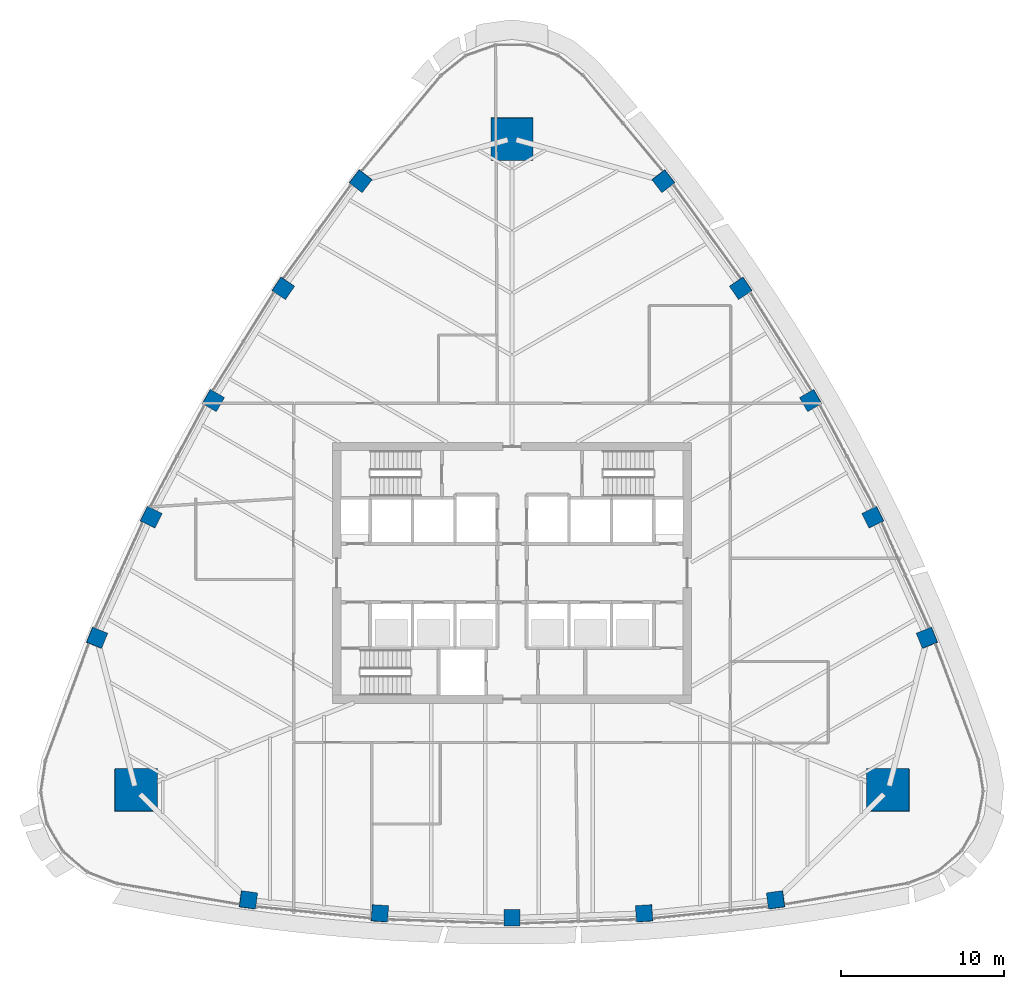
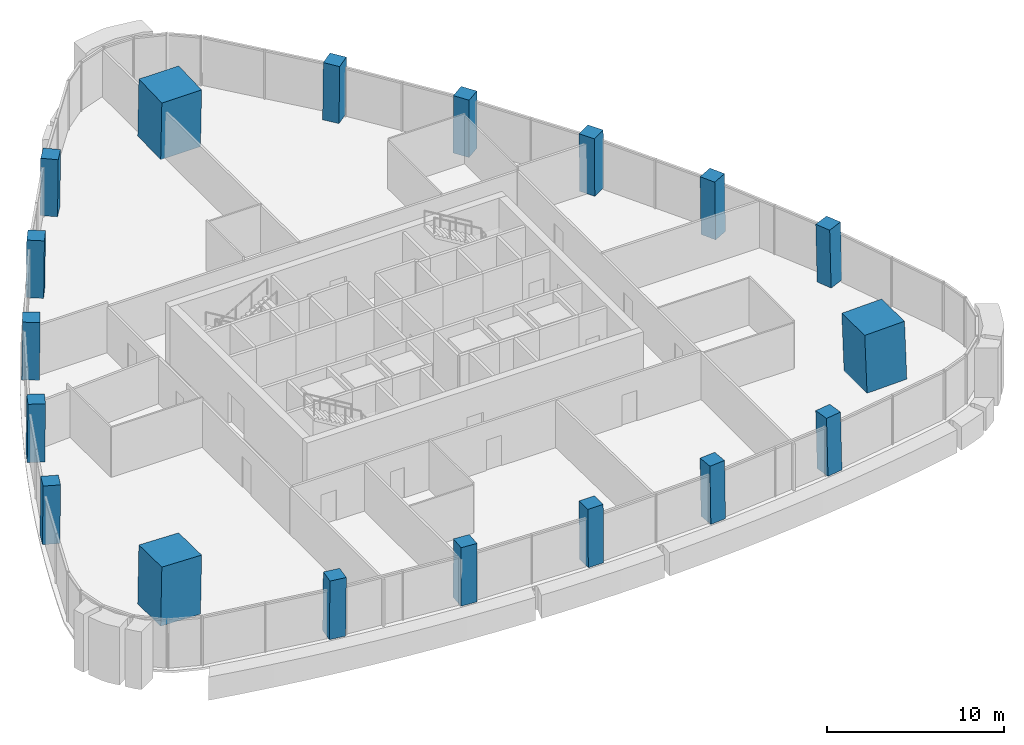
# One storey, part 1 of 16: 18 columns.
"""IFC4 building model written with IfcOpenShell, lengths in metres."""

from ifc_helpers import new_model, si_unit, direction, frame, origin, origin_2d, place, context, subcontext, project, spatial, rectangle, extrude, material, material_profile, profile_set, type_object, element, save


model = new_model("IFC4")

# Units and contexts
model_context = context("Model", 3, precision=1e-05, world=origin(), true_north=direction((0.0, 1.0)))
body_context = subcontext(model_context, "Body", "Model", "MODEL_VIEW")
ifc_project = project(units=[si_unit("LENGTHUNIT", "METRE"), si_unit("AREAUNIT", "SQUARE_METRE"), si_unit("VOLUMEUNIT", "CUBIC_METRE"), si_unit("PLANEANGLEUNIT", "RADIAN"), si_unit("MASSUNIT", "GRAM", prefix="KILO")], contexts=[model_context])

# Site, building, storey
site_placement = place(None, origin())
site = spatial("IfcSite", under=ifc_project, at=site_placement, CompositionType="ELEMENT")
building_placement = place(site_placement, origin())
building = spatial("IfcBuilding", under=site, at=building_placement, Name="Sierra Prisma Convention Tower", CompositionType="ELEMENT")
storey_placement = place(building_placement, frame((0.0, 0.0, 197.800048828125)))
storey = spatial("IfcBuildingStorey", under=building, at=storey_placement, Name="L44", CompositionType="ELEMENT", Elevation=197.800048828125)

# Columns
ifc_material_1 = material(Name="Concrete C60/75", Category="concrete")
ifc_material_profile_1 = material_profile(ifc_material_1, rectangle(XDim=2.60009765625, YDim=2.60009765625, at=origin_2d()), Name="Mega column RC 2600 C60/75")
ifc_profile_set_1 = profile_set([ifc_material_profile_1], Name="Concrete C60/75")
column_type_1 = type_object("IfcColumnType", Name="Mega column RC 2600 C60/75", PredefinedType="COLUMN", material=ifc_profile_set_1)
for number, where, z_axis, x_axis, name in (
    (1, (23.074951171875, -13.322265625, 0.0), (-0.028000517465, 0.01610487279, 0.999478165892), (0.999607908643, 0.000451121653, 0.027996883176), "Mega column SE L44"),
    (2, (0.0, 26.644775390625, 0.0), (0.0, -0.032331720729, 0.999477193254), (1.0, 0.0, 0.0), "Mega column N L44"),
    (3, (-23.074951171875, -13.322265625, 0.0), (0.028000517465, 0.01610487279, 0.999478165892), (0.999607908643, -0.000451121653, -0.027996883176), "Mega column SW L44"),
):
    element("IfcColumn", number, at=place(storey_placement, frame(where, z_axis=z_axis, x_axis=x_axis)), inside=storey, type_object=column_type_1, Name=name, PredefinedType="COLUMN", context=body_context, shape_type="SweptSolid", body=[
        extrude(rectangle(XDim=2.60009765625, YDim=2.60009765625, at=origin_2d()), origin(), (0.0, 0.0, 1.0), 4.002197265625),
    ])
ifc_material_2 = material(Name="Concrete C60/75", Category="concrete")
ifc_material_profile_2 = material_profile(ifc_material_2, rectangle(XDim=1.0, YDim=1.0, at=origin_2d()), Name="Perimeter column RC 1000 C60/75")
ifc_profile_set_2 = profile_set([ifc_material_profile_2], Name="Concrete C60/75")
column_type_2 = type_object("IfcColumnType", Name="Perimeter column RC 1000 C60/75", PredefinedType="COLUMN", material=ifc_profile_set_2)
column_1_placement = place(storey_placement, frame((-16.18408203125, -20.06396484375, 0.0), z_axis=(0.017635456472, 0.010434820265, 0.999790030557), x_axis=(-0.99066656356, 0.135357964794, 0.016061793511)))
element("IfcColumn", 4, at=column_1_placement, inside=storey, type_object=column_type_2, Name="Perimeter column S-1 L44", PredefinedType="COLUMN", context=body_context, shape_type="SweptSolid", body=[
    extrude(rectangle(XDim=1.0, YDim=1.0, at=origin_2d()), origin(), (0.0, 0.0, 1.0), 4.000732421875),
])
column_2_placement = place(storey_placement, frame((-8.110595703125, -20.8876953125, 0.0), z_axis=(0.008788174922, 0.01116830563, 0.999899013366), x_axis=(-0.997663995961, 0.067840831695, 0.00801078755)))
element("IfcColumn", 5, at=column_2_placement, inside=storey, type_object=column_type_2, Name="Perimeter column S-2 L44", PredefinedType="COLUMN", context=body_context, shape_type="SweptSolid", body=[
    extrude(rectangle(XDim=1.0, YDim=1.0, at=origin_2d()), origin(), (0.0, 0.0, 1.0), 4.00048828125),
])
column_3_placement = place(storey_placement, frame((0.0, -21.162841796875, 0.0), z_axis=(0.0, 0.01141283087, 0.999934871525), x_axis=(1.0, 0.0, 0.0)))
element("IfcColumn", 6, at=column_3_placement, inside=storey, type_object=column_type_2, Name="Perimeter column S-3 L44", PredefinedType="COLUMN", context=body_context, shape_type="SweptSolid", body=[
    extrude(rectangle(XDim=1.0, YDim=1.0, at=origin_2d()), origin(), (0.0, 0.0, 1.0), 4.000244140625),
])
column_4_placement = place(storey_placement, frame((8.110595703125, -20.8876953125, 0.0), z_axis=(-0.008788174922, 0.01116830563, 0.999899013366), x_axis=(0.997663995961, 0.067840831695, 0.00801078755)))
element("IfcColumn", 7, at=column_4_placement, inside=storey, type_object=column_type_2, Name="Perimeter column S-4 L44", PredefinedType="COLUMN", context=body_context, shape_type="SweptSolid", body=[
    extrude(rectangle(XDim=1.0, YDim=1.0, at=origin_2d()), origin(), (0.0, 0.0, 1.0), 4.00048828125),
])
for number, where, z_axis, x_axis, name in (
    (8, (16.18408203125, -20.06396484375, 0.0), (-0.017635456472, 0.010434820265, 0.999790030557), (0.99066656356, 0.135357964794, 0.016061793511), "Perimeter column S-5 L44"),
    (9, (25.468017578125, -3.98388671875, 0.0), (-0.017879535448, 0.010068680372, 0.999789449778), (-0.378277966466, 0.925552280287, -0.016085911281), "Perimeter column NE-1 L44"),
):
    element("IfcColumn", number, at=place(storey_placement, frame(where, z_axis=z_axis, x_axis=x_axis)), inside=storey, type_object=column_type_2, Name=name, PredefinedType="COLUMN", context=body_context, shape_type="SweptSolid", body=[
        extrude(rectangle(XDim=1.0, YDim=1.0, at=origin_2d()), origin(), (0.0, 0.0, 1.0), 4.000732421875),
    ])
column_5_placement = place(storey_placement, frame((22.144775390625, 3.419921875, 0.0), z_axis=(-0.014097691364, 0.002013955909, 0.999898594398), x_axis=(-0.440136782455, 0.897894975927, -0.008014046079)))
element("IfcColumn", 10, at=column_5_placement, inside=storey, type_object=column_type_2, Name="Perimeter column NE-2 L44", PredefinedType="COLUMN", context=body_context, shape_type="SweptSolid", body=[
    extrude(rectangle(XDim=1.0, YDim=1.0, at=origin_2d()), origin(), (0.0, 0.0, 1.0), 4.00048828125),
])
column_6_placement = place(storey_placement, frame((18.32763671875, 10.581298828125, 0.0), z_axis=(-0.009887052741, -0.005675900648, 0.999935013058), x_axis=(-0.49997556095, 0.866039512773, -2.7732311e-05)))
element("IfcColumn", 11, at=column_6_placement, inside=storey, type_object=column_type_2, Name="Perimeter column NE-3 L44", PredefinedType="COLUMN", context=body_context, shape_type="SweptSolid", body=[
    extrude(rectangle(XDim=1.0, YDim=1.0, at=origin_2d()), origin(), (0.0, 0.0, 1.0), 4.000244140625),
])
column_7_placement = place(storey_placement, frame((14.033935546875, 17.468017578125, 0.0), z_axis=(-0.005248490815, -0.013243284963, 0.999898529226), x_axis=(-0.557514318563, 0.830128114569, 0.008068333097)))
element("IfcColumn", 12, at=column_7_placement, inside=storey, type_object=column_type_2, Name="Perimeter column NE-4 L44", PredefinedType="COLUMN", context=body_context, shape_type="SweptSolid", body=[
    extrude(rectangle(XDim=1.0, YDim=1.0, at=origin_2d()), origin(), (0.0, 0.0, 1.0), 4.00048828125),
])
for number, where, z_axis, x_axis, name in (
    (13, (9.28369140625, 24.047607421875, 0.0), (-0.000183067202, -0.020442504242, 0.999791013416), (-0.612482198011, 0.790321478111, 0.016047378453), "Perimeter column NE-5 L44"),
    (14, (-9.28369140625, 24.047607421875, 0.0), (0.000183067202, -0.020442504242, 0.999791013416), (0.612482198011, 0.790321478111, 0.016047378453), "Perimeter column NW-1 L44"),
):
    element("IfcColumn", number, at=place(storey_placement, frame(where, z_axis=z_axis, x_axis=x_axis)), inside=storey, type_object=column_type_2, Name=name, PredefinedType="COLUMN", context=body_context, shape_type="SweptSolid", body=[
        extrude(rectangle(XDim=1.0, YDim=1.0, at=origin_2d()), origin(), (0.0, 0.0, 1.0), 4.000732421875),
    ])
column_8_placement = place(storey_placement, frame((-14.033935546875, 17.468017578125, 0.0), z_axis=(0.005248490815, -0.013243284963, 0.999898529226), x_axis=(0.557514318563, 0.830128114569, 0.008068333097)))
element("IfcColumn", 15, at=column_8_placement, inside=storey, type_object=column_type_2, Name="Perimeter column NW-2 L44", PredefinedType="COLUMN", context=body_context, shape_type="SweptSolid", body=[
    extrude(rectangle(XDim=1.0, YDim=1.0, at=origin_2d()), origin(), (0.0, 0.0, 1.0), 4.00048828125),
])
column_9_placement = place(storey_placement, frame((-18.32763671875, 10.581298828125, 0.0), z_axis=(0.009887052741, -0.005675900648, 0.999935013058), x_axis=(0.49997556095, 0.866039512773, -2.7732311e-05)))
element("IfcColumn", 16, at=column_9_placement, inside=storey, type_object=column_type_2, Name="Perimeter column NW-3 L44", PredefinedType="COLUMN", context=body_context, shape_type="SweptSolid", body=[
    extrude(rectangle(XDim=1.0, YDim=1.0, at=origin_2d()), origin(), (0.0, 0.0, 1.0), 4.000244140625),
])
column_10_placement = place(storey_placement, frame((-22.144775390625, 3.419921875, 0.0), z_axis=(0.014097691364, 0.002013955909, 0.999898594398), x_axis=(0.440136782455, 0.897894975927, -0.008014046079)))
element("IfcColumn", 17, at=column_10_placement, inside=storey, type_object=column_type_2, Name="Perimeter column NW-4 L44", PredefinedType="COLUMN", context=body_context, shape_type="SweptSolid", body=[
    extrude(rectangle(XDim=1.0, YDim=1.0, at=origin_2d()), origin(), (0.0, 0.0, 1.0), 4.00048828125),
])
column_11_placement = place(storey_placement, frame((-25.468017578125, -3.98388671875, 0.0), z_axis=(0.017879535448, 0.010068680372, 0.999789449778), x_axis=(0.378277966466, 0.925552280287, -0.016085911281)))
element("IfcColumn", 18, at=column_11_placement, inside=storey, type_object=column_type_2, Name="Perimeter column NW-5 L44", PredefinedType="COLUMN", context=body_context, shape_type="SweptSolid", body=[
    extrude(rectangle(XDim=1.0, YDim=1.0, at=origin_2d()), origin(), (0.0, 0.0, 1.0), 4.000732421875),
])

save(model, "model.ifc")
